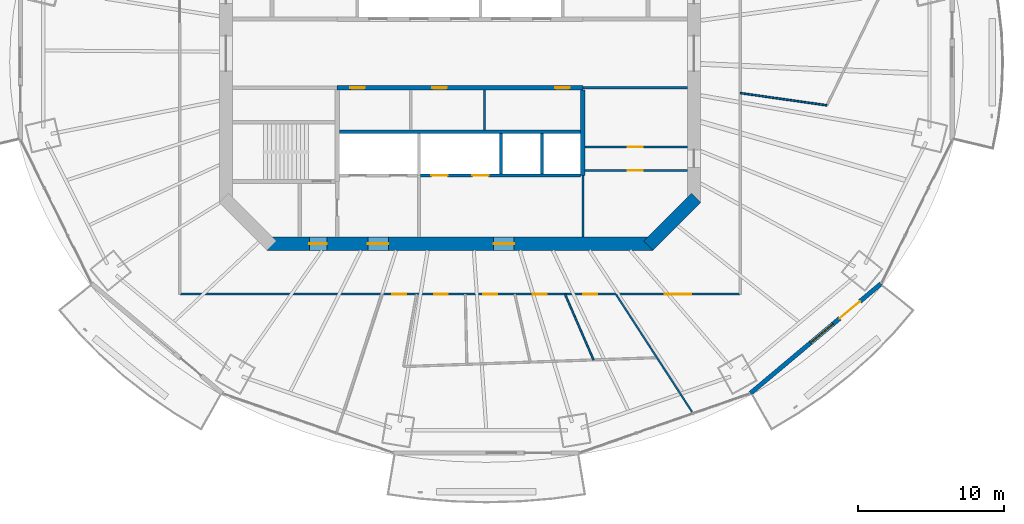
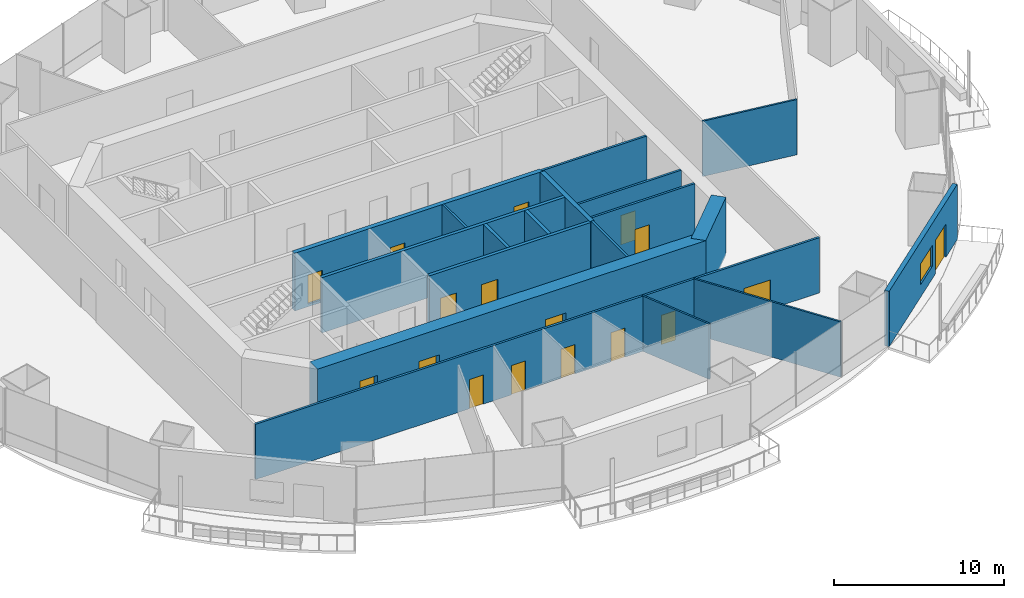
# One storey, part 12 of 20: 18 walls, 17 doors, 1 window, 18 openings.
"""IFC4 building model written with IfcOpenShell, lengths in metres."""

from ifc_helpers import new_model, si_unit, direction, frame, frame_2d, origin, place, context, subcontext, project, spatial, rectangle, extrude, material, layer, layer_set, type_object, element, fill, save


model = new_model("IFC4")

# Units and contexts
model_context = context("Model", 3, precision=1e-05, world=origin(), true_north=direction((0.0, 1.0)))
body_context = subcontext(model_context, "Body", "Model", "MODEL_VIEW")
ifc_project = project(units=[si_unit("LENGTHUNIT", "METRE"), si_unit("AREAUNIT", "SQUARE_METRE"), si_unit("VOLUMEUNIT", "CUBIC_METRE"), si_unit("PLANEANGLEUNIT", "RADIAN"), si_unit("MASSUNIT", "GRAM", prefix="KILO")], contexts=[model_context])

# Site, building, storey
site_placement = place(None, origin())
site = spatial("IfcSite", under=ifc_project, at=site_placement, CompositionType="ELEMENT")
building_placement = place(site_placement, origin())
building = spatial("IfcBuilding", under=site, at=building_placement, Name="Marenthal Gate Tower", CompositionType="ELEMENT")
storey_placement = place(building_placement, frame((0.0, 0.0, 173.5)))
storey = spatial("IfcBuildingStorey", under=building, at=storey_placement, Name="L37", CompositionType="ELEMENT", Elevation=173.5)

# Wall
ifc_material_1 = material(Name="Concrete 60 MPa", Category="concrete")
ifc_layer_1 = layer(ifc_material_1, 0.89990234375)
ifc_layer_set_1 = layer_set([ifc_layer_1], Name="Core shear wall 900")
wall_type_1 = type_object("IfcWallType", Name="Core shear wall 900", PredefinedType="SHEAR", material=ifc_layer_set_1)
wall_1_placement = place(storey_placement, frame((12.8681640625, -13.1318359375, -0.179931640625), z_axis=(0.0, 0.0, 1.0), x_axis=(0.707106781187, 0.707106781187, 0.0)))
element("IfcWall", 1, at=wall_1_placement, inside=storey, type_object=wall_type_1, Name="Core wall 01", PredefinedType="SHEAR", context=body_context, shape_type="SweptSolid", body=[
    extrude(rectangle(XDim=4.615478515625, YDim=0.89990234375, at=frame_2d((2.3076171875, 0.0))), origin(), (0.0, 0.0, 1.0), 4.14990234375),
])

# Wall, openings, doors
wall_2_placement = place(storey_placement, frame((-13.186279296875, -13.0, -0.179931640625), z_axis=(0.0, 0.0, 1.0), x_axis=(1.0, 0.0, 0.0)))
wall_2 = element("IfcWall", 2, at=wall_2_placement, inside=storey, type_object=wall_type_1, Name="Core wall 08", PredefinedType="SHEAR", context=body_context, shape_type="SweptSolid", body=[
    extrude(rectangle(XDim=26.37255859375, YDim=0.89990234375, at=frame_2d((13.186279296875, 0.0))), origin(), (0.0, 0.0, 1.0), 4.14990234375),
])
opening_1_placement = place(wall_2_placement, frame((2.886474609375, 0.0, 0.179931640625)))
opening_1 = element("IfcOpeningElement", 3, at=opening_1_placement, cuts=wall_2, Name="Opening D001.06", PredefinedType="OPENING", context=body_context, shape_type="SweptSolid", body=[
    extrude(rectangle(XDim=1.199951171875, YDim=2.10009765625, at=frame_2d((0.60009765625, 1.050048828125))), frame((0.0, 0.4599609375, 0.0), z_axis=(0.0, -1.0, 0.0), x_axis=(1.0, 0.0, 0.0)), (0.0, 0.0, 1.0), 0.919921875),
])
opening_2_placement = place(wall_2_placement, frame((6.886474609375, 0.0, 0.179931640625)))
opening_2 = element("IfcOpeningElement", 4, at=opening_2_placement, cuts=wall_2, Name="Opening D004.01", PredefinedType="OPENING", context=body_context, shape_type="SweptSolid", body=[
    extrude(rectangle(XDim=1.39990234375, YDim=2.10009765625, at=frame_2d((0.699951171875, 1.050048828125))), frame((0.0, 0.4599609375, 0.0), z_axis=(0.0, -1.0, 0.0), x_axis=(1.0, 0.0, 0.0)), (0.0, 0.0, 1.0), 0.919921875),
])
opening_3_placement = place(wall_2_placement, frame((15.486328125, 0.0, 0.179931640625)))
opening_3 = element("IfcOpeningElement", 5, at=opening_3_placement, cuts=wall_2, Name="Opening D004.02", PredefinedType="OPENING", context=body_context, shape_type="SweptSolid", body=[
    extrude(rectangle(XDim=1.39990234375, YDim=2.10009765625, at=frame_2d((0.699951171875, 1.050048828125))), frame((0.0, 0.4599609375, 0.0), z_axis=(0.0, -1.0, 0.0), x_axis=(1.0, 0.0, 0.0)), (0.0, 0.0, 1.0), 0.919921875),
])
ifc_material_2 = material(Name="Steel fire door", Category="steel")
door_type_1 = type_object("IfcDoorType", Name="Fire door FD 45 1400 x 2100", OperationType="NOTDEFINED", PredefinedType="DOOR", material=ifc_material_2)
door_1_placement = place(opening_2_placement, origin())
door_1 = element("IfcDoor", 6, at=door_1_placement, inside=storey, type_object=door_type_1, Name="Door D004.01", OperationType="SINGLE_SWING_RIGHT", OverallHeight=2.10009765625, OverallWidth=1.39990234375, PredefinedType="DOOR", context=body_context, shape_type="SweptSolid", body=[
    extrude(rectangle(XDim=1.39990234375, YDim=2.10009765625, at=frame_2d((0.699951171875, 1.050048828125))), frame((0.0, 0.02490234375, 0.0), z_axis=(0.0, -1.0, 0.0), x_axis=(1.0, 0.0, 0.0)), (0.0, 0.0, 1.0), 0.050048828125),
])
fill(opening_2, door_1)
door_2_placement = place(opening_3_placement, origin())
door_2 = element("IfcDoor", 7, at=door_2_placement, inside=storey, type_object=door_type_1, Name="Door D004.02", OperationType="SINGLE_SWING_RIGHT", OverallHeight=2.10009765625, OverallWidth=1.39990234375, PredefinedType="DOOR", context=body_context, shape_type="SweptSolid", body=[
    extrude(rectangle(XDim=1.39990234375, YDim=2.10009765625, at=frame_2d((0.699951171875, 1.050048828125))), frame((0.0, 0.02490234375, 0.0), z_axis=(0.0, -1.0, 0.0), x_axis=(1.0, 0.0, 0.0)), (0.0, 0.0, 1.0), 0.050048828125),
])
fill(opening_3, door_2)
ifc_material_3 = material(Name="Steel fire door", Category="steel")
door_type_2 = type_object("IfcDoorType", Name="Fire door FD 90 1200 x 2100", OperationType="NOTDEFINED", PredefinedType="DOOR", material=ifc_material_3)
door_3_placement = place(opening_1_placement, origin())
door_3 = element("IfcDoor", 8, at=door_3_placement, inside=storey, type_object=door_type_2, Name="Door D001.06", OperationType="SINGLE_SWING_RIGHT", OverallHeight=2.10009765625, OverallWidth=1.199951171875, PredefinedType="DOOR", context=body_context, shape_type="SweptSolid", body=[
    extrude(rectangle(XDim=1.199951171875, YDim=2.10009765625, at=frame_2d((0.60009765625, 1.050048828125))), frame((0.0, 0.02490234375, 0.0), z_axis=(0.0, -1.0, 0.0), x_axis=(1.0, 0.0, 0.0)), (0.0, 0.0, 1.0), 0.050048828125),
])
fill(opening_1, door_3)

ifc_material_4 = material(Name="Concrete 50 MPa", Category="concrete")
ifc_layer_2 = layer(ifc_material_4, 0.300048828125)
ifc_layer_set_2 = layer_set([ifc_layer_2], Name="Hoistway shear wall 300")
wall_type_2 = type_object("IfcWallType", Name="Hoistway shear wall 300", PredefinedType="SHEAR", material=ifc_layer_set_2)
wall_3_placement = place(storey_placement, frame((-8.39990234375, -2.35009765625, -0.179931640625), z_axis=(0.0, 0.0, 1.0), x_axis=(1.0, 0.0, 0.0)))
wall_3 = element("IfcWall", 9, at=wall_3_placement, inside=storey, type_object=wall_type_2, Name="Hoistway wall 17", PredefinedType="SHEAR", context=body_context, shape_type="SweptSolid", body=[
    extrude(rectangle(XDim=16.7998046875, YDim=0.300048828125, at=frame_2d((8.39990234375, 0.0))), origin(), (0.0, 0.0, 1.0), 4.14990234375),
])
opening_4_placement = place(wall_3_placement, frame((0.89990234375, 0.0, 0.179931640625)))
opening_4 = element("IfcOpeningElement", 10, at=opening_4_placement, cuts=wall_3, Name="Opening D005.01", PredefinedType="OPENING", context=body_context, shape_type="SweptSolid", body=[
    extrude(rectangle(XDim=1.0, YDim=2.10009765625, at=frame_2d((0.5, 1.050048828125))), frame((0.0, 0.16015625, 0.0), z_axis=(0.0, -1.0, 0.0), x_axis=(1.0, 0.0, 0.0)), (0.0, 0.0, 1.0), 0.320068359375),
])
opening_5_placement = place(wall_3_placement, frame((6.5, 0.0, 0.179931640625)))
opening_5 = element("IfcOpeningElement", 11, at=opening_5_placement, cuts=wall_3, Name="Opening D005.02", PredefinedType="OPENING", context=body_context, shape_type="SweptSolid", body=[
    extrude(rectangle(XDim=1.0, YDim=2.10009765625, at=frame_2d((0.5, 1.050048828125))), frame((0.0, 0.16015625, 0.0), z_axis=(0.0, -1.0, 0.0), x_axis=(1.0, 0.0, 0.0)), (0.0, 0.0, 1.0), 0.320068359375),
])
opening_6_placement = place(wall_3_placement, frame((14.89990234375, 0.0, 0.179931640625)))
opening_6 = element("IfcOpeningElement", 12, at=opening_6_placement, cuts=wall_3, Name="Opening D005.03", PredefinedType="OPENING", context=body_context, shape_type="SweptSolid", body=[
    extrude(rectangle(XDim=1.0, YDim=2.10009765625, at=frame_2d((0.5, 1.050048828125))), frame((0.0, 0.16015625, 0.0), z_axis=(0.0, -1.0, 0.0), x_axis=(1.0, 0.0, 0.0)), (0.0, 0.0, 1.0), 0.320068359375),
])
ifc_material_5 = material(Name="Steel fire door", Category="steel")
door_type_3 = type_object("IfcDoorType", Name="Fire door FD 45 1000 x 2100", OperationType="NOTDEFINED", PredefinedType="DOOR", material=ifc_material_5)
door_4_placement = place(opening_4_placement, frame((1.0, 0.0, 0.0), z_axis=(0.0, 0.0, 1.0), x_axis=(-1.0, 0.0, 0.0)))
door_4 = element("IfcDoor", 13, at=door_4_placement, inside=storey, type_object=door_type_3, Name="Door D005.01", OperationType="SINGLE_SWING_LEFT", OverallHeight=2.10009765625, OverallWidth=1.0, PredefinedType="DOOR", context=body_context, shape_type="SweptSolid", body=[
    extrude(rectangle(XDim=1.0, YDim=2.10009765625, at=frame_2d((0.5, 1.050048828125))), frame((0.0, 0.02490234375, 0.0), z_axis=(0.0, -1.0, 0.0), x_axis=(1.0, 0.0, 0.0)), (0.0, 0.0, 1.0), 0.050048828125),
])
fill(opening_4, door_4)
door_5_placement = place(opening_5_placement, frame((1.0, 0.0, 0.0), z_axis=(0.0, 0.0, 1.0), x_axis=(-1.0, 0.0, 0.0)))
door_5 = element("IfcDoor", 14, at=door_5_placement, inside=storey, type_object=door_type_3, Name="Door D005.02", OperationType="SINGLE_SWING_LEFT", OverallHeight=2.10009765625, OverallWidth=1.0, PredefinedType="DOOR", context=body_context, shape_type="SweptSolid", body=[
    extrude(rectangle(XDim=1.0, YDim=2.10009765625, at=frame_2d((0.5, 1.050048828125))), frame((0.0, 0.02490234375, 0.0), z_axis=(0.0, -1.0, 0.0), x_axis=(1.0, 0.0, 0.0)), (0.0, 0.0, 1.0), 0.050048828125),
])
fill(opening_5, door_5)
door_6_placement = place(opening_6_placement, frame((1.0, 0.0, 0.0), z_axis=(0.0, 0.0, 1.0), x_axis=(-1.0, 0.0, 0.0)))
door_6 = element("IfcDoor", 15, at=door_6_placement, inside=storey, type_object=door_type_3, Name="Door D005.03", OperationType="SINGLE_SWING_LEFT", OverallHeight=2.10009765625, OverallWidth=1.0, PredefinedType="DOOR", context=body_context, shape_type="SweptSolid", body=[
    extrude(rectangle(XDim=1.0, YDim=2.10009765625, at=frame_2d((0.5, 1.050048828125))), frame((0.0, 0.02490234375, 0.0), z_axis=(0.0, -1.0, 0.0), x_axis=(1.0, 0.0, 0.0)), (0.0, 0.0, 1.0), 0.050048828125),
])
fill(opening_6, door_6)

# Wall
wall_4_placement = place(storey_placement, frame((8.39990234375, -8.35009765625, -0.179931640625), z_axis=(0.0, 0.0, 1.0), x_axis=(0.0, 1.0, 0.0)))
element("IfcWall", 16, at=wall_4_placement, inside=storey, type_object=wall_type_2, Name="Hoistway wall 46", PredefinedType="SHEAR", context=body_context, shape_type="SweptSolid", body=[
    extrude(rectangle(XDim=5.85009765625, YDim=0.300048828125, at=frame_2d((2.925048828125, 0.0))), origin(), (0.0, 0.0, 1.0), 4.14990234375),
])

# Wall, openings, doors
ifc_material_6 = material(Name="Concrete 40 MPa", Category="concrete")
ifc_layer_3 = layer(ifc_material_6, 0.219970703125)
ifc_layer_set_3 = layer_set([ifc_layer_3], Name="Hoistway wall 220")
wall_type_3 = type_object("IfcWallType", Name="Hoistway wall 220", PredefinedType="STANDARD", material=ifc_layer_set_3)
wall_5_placement = place(storey_placement, frame((-2.68994140625, -8.35009765625, 0.0), z_axis=(0.0, 0.0, 1.0), x_axis=(1.0, 0.0, 0.0)))
wall_5 = element("IfcWall", 17, at=wall_5_placement, inside=storey, type_object=wall_type_3, Name="Hoistway wall 11", PredefinedType="STANDARD", context=body_context, shape_type="SweptSolid", body=[
    extrude(rectangle(XDim=10.93994140625, YDim=0.219970703125, at=frame_2d((5.469970703125, 0.0))), origin(), (0.0, 0.0, 1.0), 3.969970703125),
])
opening_7_placement = place(wall_5_placement, frame((0.739990234375, 0.0, 0.0)))
opening_7 = element("IfcOpeningElement", 18, at=opening_7_placement, cuts=wall_5, Name="Opening LD-SV1", PredefinedType="OPENING", context=body_context, shape_type="SweptSolid", body=[
    extrude(rectangle(XDim=1.10009765625, YDim=2.10009765625, at=frame_2d((0.550048828125, 1.050048828125))), frame((0.0, 0.1201171875, 0.0), z_axis=(0.0, -1.0, 0.0), x_axis=(1.0, 0.0, 0.0)), (0.0, 0.0, 1.0), 0.239990234375),
])
opening_8_placement = place(wall_5_placement, frame((3.5400390625, 0.0, 0.0)))
opening_8 = element("IfcOpeningElement", 19, at=opening_8_placement, cuts=wall_5, Name="Opening LD-SV2", PredefinedType="OPENING", context=body_context, shape_type="SweptSolid", body=[
    extrude(rectangle(XDim=1.10009765625, YDim=2.10009765625, at=frame_2d((0.550048828125, 1.050048828125))), frame((0.0, 0.1201171875, 0.0), z_axis=(0.0, -1.0, 0.0), x_axis=(1.0, 0.0, 0.0)), (0.0, 0.0, 1.0), 0.239990234375),
])
ifc_material_7 = material(Name="Stainless steel sliding door", Category="steel")
door_type_4 = type_object("IfcDoorType", Name="Lift landing door FD 90 1100 x 2100", OperationType="DOUBLE_DOOR_SLIDING", PredefinedType="DOOR", material=ifc_material_7)
door_7_placement = place(opening_7_placement, origin())
door_7 = element("IfcDoor", 20, at=door_7_placement, inside=storey, type_object=door_type_4, Name="Lift landing door SV1", OperationType="DOUBLE_DOOR_SLIDING", OverallHeight=2.10009765625, OverallWidth=1.10009765625, PredefinedType="DOOR", context=body_context, shape_type="SweptSolid", body=[
    extrude(rectangle(XDim=1.10009765625, YDim=2.10009765625, at=frame_2d((0.550048828125, 1.050048828125))), frame((0.0, 0.02490234375, 0.0), z_axis=(0.0, -1.0, 0.0), x_axis=(1.0, 0.0, 0.0)), (0.0, 0.0, 1.0), 0.050048828125),
])
fill(opening_7, door_7)
door_8_placement = place(opening_8_placement, origin())
door_8 = element("IfcDoor", 21, at=door_8_placement, inside=storey, type_object=door_type_4, Name="Lift landing door SV2", OperationType="DOUBLE_DOOR_SLIDING", OverallHeight=2.10009765625, OverallWidth=1.10009765625, PredefinedType="DOOR", context=body_context, shape_type="SweptSolid", body=[
    extrude(rectangle(XDim=1.10009765625, YDim=2.10009765625, at=frame_2d((0.550048828125, 1.050048828125))), frame((0.0, 0.02490234375, 0.0), z_axis=(0.0, -1.0, 0.0), x_axis=(1.0, 0.0, 0.0)), (0.0, 0.0, 1.0), 0.050048828125),
])
fill(opening_8, door_8)

# Walls
wall_6_placement = place(storey_placement, frame((-8.25, -5.35009765625, 0.0), z_axis=(0.0, 0.0, 1.0), x_axis=(1.0, 0.0, 0.0)))
element("IfcWall", 22, at=wall_6_placement, inside=storey, type_object=wall_type_3, Name="Hoistway wall 14", PredefinedType="STANDARD", context=body_context, shape_type="SweptSolid", body=[
    extrude(rectangle(XDim=16.5, YDim=0.219970703125, at=frame_2d((8.25, 0.0))), origin(), (0.0, 0.0, 1.0), 3.969970703125),
])
for number, where, z_axis, x_axis, name in (
    (23, (2.800048828125, -8.239990234375, 0.0), (0.0, 0.0, 1.0), (0.0, 1.0, 0.0), "Hoistway wall 40"),
    (24, (5.60009765625, -8.239990234375, 0.0), (0.0, 0.0, 1.0), (0.0, 1.0, 0.0), "Hoistway wall 43"),
):
    element("IfcWall", number, at=place(storey_placement, frame(where, z_axis=z_axis, x_axis=x_axis)), inside=storey, type_object=wall_type_3, Name=name, PredefinedType="STANDARD", context=body_context, shape_type="SweptSolid", body=[
        extrude(rectangle(XDim=2.780029296875, YDim=0.219970703125, at=frame_2d((1.39013671875, 0.0))), origin(), (0.0, 0.0, 1.0), 3.969970703125),
    ])
ifc_material_8 = material(Name="Gypsum board on steel studs", Category="steel")
ifc_layer_4 = layer(ifc_material_8, 0.1201171875)
ifc_layer_set_4 = layer_set([ifc_layer_4], Name="Partition 120")
wall_type_4 = type_object("IfcWallType", Name="Partition 120", PredefinedType="PARTITIONING", material=ifc_layer_set_4)
wall_7_placement = place(storey_placement, frame((9.12939453125, -20.9423828125, 0.0), z_axis=(0.0, 0.0, 1.0), x_axis=(-0.399629429377, 0.916676780101, 0.0)))
element("IfcWall", 25, at=wall_7_placement, inside=storey, type_object=wall_type_4, Name="Partition wall 61", PredefinedType="PARTITIONING", context=body_context, shape_type="SweptSolid", body=[
    extrude(rectangle(XDim=4.90087890625, YDim=0.1201171875, at=frame_2d((2.450439453125, 0.0))), origin(), (0.0, 0.0, 1.0), 3.969970703125),
])
wall_8_placement = place(storey_placement, frame((10.649169921875, -16.449951171875, 0.0), z_axis=(0.0, 0.0, 1.0), x_axis=(0.5434327779, -0.839452688306, 0.0)))
element("IfcWall", 26, at=wall_8_placement, inside=storey, type_object=wall_type_4, Name="Partition wall 62", PredefinedType="PARTITIONING", context=body_context, shape_type="SweptSolid", body=[
    extrude(rectangle(XDim=9.703857421875, YDim=0.1201171875, at=frame_2d((4.85205078125, 0.0))), origin(), (0.0, 0.0, 1.0), 3.969970703125),
])
wall_9_placement = place(storey_placement, frame((25.072998046875, -3.546630859375, 0.0), z_axis=(0.0, 0.0, 1.0), x_axis=(-0.990142016785, 0.140067078917, 0.0)))
element("IfcWall", 27, at=wall_9_placement, inside=storey, type_object=wall_type_4, Name="Partition wall 68", PredefinedType="PARTITIONING", context=body_context, shape_type="SweptSolid", body=[
    extrude(rectangle(XDim=5.982177734375, YDim=0.1201171875, at=frame_2d((2.9912109375, 0.0))), origin(), (0.0, 0.0, 1.0), 3.969970703125),
])

# Wall, opening, door
ifc_material_9 = material(Name="Gypsum board on steel studs", Category="steel")
ifc_layer_5 = layer(ifc_material_9, 0.14990234375)
ifc_layer_set_5 = layer_set([ifc_layer_5], Name="Partition 150")
wall_type_5 = type_object("IfcWallType", Name="Partition 150", PredefinedType="PARTITIONING", material=ifc_layer_set_5)
wall_10_placement = place(storey_placement, frame((8.550048828125, -8.0, 0.0), z_axis=(0.0, 0.0, 1.0), x_axis=(1.0, 0.0, 0.0)))
wall_10 = element("IfcWall", 28, at=wall_10_placement, inside=storey, type_object=wall_type_5, Name="Partition wall 12", PredefinedType="PARTITIONING", context=body_context, shape_type="SweptSolid", body=[
    extrude(rectangle(XDim=7.0, YDim=0.14990234375, at=frame_2d((3.5, 0.0))), origin(), (0.0, 0.0, 1.0), 3.969970703125),
])
opening_9_placement = place(wall_10_placement, frame((2.925048828125, 0.0, 0.0)))
opening_9 = element("IfcOpeningElement", 29, at=opening_9_placement, cuts=wall_10, Name="Opening D005.07", PredefinedType="OPENING", context=body_context, shape_type="SweptSolid", body=[
    extrude(rectangle(XDim=1.0, YDim=2.10009765625, at=frame_2d((0.5, 1.050048828125))), frame((0.0, 0.0849609375, 0.0), z_axis=(0.0, -1.0, 0.0), x_axis=(1.0, 0.0, 0.0)), (0.0, 0.0, 1.0), 0.169921875),
])
door_9_placement = place(opening_9_placement, frame((1.0, 0.0, 0.0), z_axis=(0.0, 0.0, 1.0), x_axis=(-1.0, 0.0, 0.0)))
door_9 = element("IfcDoor", 30, at=door_9_placement, inside=storey, type_object=door_type_3, Name="Door D005.07", OperationType="SINGLE_SWING_LEFT", OverallHeight=2.10009765625, OverallWidth=1.0, PredefinedType="DOOR", context=body_context, shape_type="SweptSolid", body=[
    extrude(rectangle(XDim=1.0, YDim=2.10009765625, at=frame_2d((0.5, 1.050048828125))), frame((0.0, 0.02490234375, 0.0), z_axis=(0.0, -1.0, 0.0), x_axis=(1.0, 0.0, 0.0)), (0.0, 0.0, 1.0), 0.050048828125),
])
fill(opening_9, door_9)

wall_11_placement = place(storey_placement, frame((8.550048828125, -6.39990234375, 0.0), z_axis=(0.0, 0.0, 1.0), x_axis=(1.0, 0.0, 0.0)))
wall_11 = element("IfcWall", 31, at=wall_11_placement, inside=storey, type_object=wall_type_5, Name="Partition wall 13", PredefinedType="PARTITIONING", context=body_context, shape_type="SweptSolid", body=[
    extrude(rectangle(XDim=7.0, YDim=0.14990234375, at=frame_2d((3.5, 0.0))), origin(), (0.0, 0.0, 1.0), 3.969970703125),
])
opening_10_placement = place(wall_11_placement, frame((2.925048828125, 0.0, 0.0)))
opening_10 = element("IfcOpeningElement", 32, at=opening_10_placement, cuts=wall_11, Name="Opening D005.06", PredefinedType="OPENING", context=body_context, shape_type="SweptSolid", body=[
    extrude(rectangle(XDim=1.0, YDim=2.10009765625, at=frame_2d((0.5, 1.050048828125))), frame((0.0, 0.0849609375, 0.0), z_axis=(0.0, -1.0, 0.0), x_axis=(1.0, 0.0, 0.0)), (0.0, 0.0, 1.0), 0.169921875),
])
door_10_placement = place(opening_10_placement, origin())
door_10 = element("IfcDoor", 33, at=door_10_placement, inside=storey, type_object=door_type_3, Name="Door D005.06", OperationType="SINGLE_SWING_RIGHT", OverallHeight=2.10009765625, OverallWidth=1.0, PredefinedType="DOOR", context=body_context, shape_type="SweptSolid", body=[
    extrude(rectangle(XDim=1.0, YDim=2.10009765625, at=frame_2d((0.5, 1.050048828125))), frame((0.0, 0.02490234375, 0.0), z_axis=(0.0, -1.0, 0.0), x_axis=(1.0, 0.0, 0.0)), (0.0, 0.0, 1.0), 0.050048828125),
])
fill(opening_10, door_10)

# Walls
wall_12_placement = place(storey_placement, frame((8.39990234375, -2.35009765625, 0.0), z_axis=(0.0, 0.0, 1.0), x_axis=(1.0, 0.0, 0.0)))
element("IfcWall", 34, at=wall_12_placement, inside=storey, type_object=wall_type_5, Name="Partition wall 18", PredefinedType="PARTITIONING", context=body_context, shape_type="SweptSolid", body=[
    extrude(rectangle(XDim=7.150146484375, YDim=0.14990234375, at=frame_2d((3.5751953125, 0.0))), origin(), (0.0, 0.0, 1.0), 3.969970703125),
])
wall_13_placement = place(storey_placement, frame((1.679931640625, -5.239990234375, 0.0), z_axis=(0.0, 0.0, 1.0), x_axis=(0.0, 1.0, 0.0)))
element("IfcWall", 35, at=wall_13_placement, inside=storey, type_object=wall_type_5, Name="Partition wall 39", PredefinedType="PARTITIONING", context=body_context, shape_type="SweptSolid", body=[
    extrude(rectangle(XDim=2.739990234375, YDim=0.14990234375, at=frame_2d((1.3701171875, 0.0))), origin(), (0.0, 0.0, 1.0), 3.969970703125),
])
wall_14_placement = place(storey_placement, frame((8.39990234375, -12.550048828125, 0.0), z_axis=(0.0, 0.0, 1.0), x_axis=(0.0, 1.0, 0.0)))
element("IfcWall", 36, at=wall_14_placement, inside=storey, type_object=wall_type_5, Name="Partition wall 45", PredefinedType="PARTITIONING", context=body_context, shape_type="SweptSolid", body=[
    extrude(rectangle(XDim=4.199951171875, YDim=0.14990234375, at=frame_2d((2.10009765625, 0.0))), origin(), (0.0, 0.0, 1.0), 3.969970703125),
])

# Wall, openings, doors
wall_15_placement = place(storey_placement, frame((19.14990234375, -16.449951171875, 0.0), z_axis=(0.0, 0.0, 1.0), x_axis=(-1.0, 0.0, 0.0)))
wall_15 = element("IfcWall", 37, at=wall_15_placement, inside=storey, type_object=wall_type_5, Name="Partition wall 65", PredefinedType="PARTITIONING", context=body_context, shape_type="SweptSolid", body=[
    extrude(rectangle(XDim=38.2998046875, YDim=0.14990234375, at=frame_2d((19.14990234375, 0.0))), origin(), (0.0, 0.0, 1.0), 3.969970703125),
])
opening_11_placement = place(wall_15_placement, frame((19.97607421875, 0.0, 0.0)))
opening_11 = element("IfcOpeningElement", 38, at=opening_11_placement, cuts=wall_15, Name="Opening D016.01", PredefinedType="OPENING", context=body_context, shape_type="SweptSolid", body=[
    extrude(rectangle(XDim=0.949951171875, YDim=2.10009765625, at=frame_2d((0.47509765625, 1.050048828125))), frame((0.0, 0.0849609375, 0.0), z_axis=(0.0, -1.0, 0.0), x_axis=(1.0, 0.0, 0.0)), (0.0, 0.0, 1.0), 0.169921875),
])
opening_12_placement = place(wall_15_placement, frame((16.62109375, 0.0, 0.0)))
opening_12 = element("IfcOpeningElement", 39, at=opening_12_placement, cuts=wall_15, Name="Opening D016.02", PredefinedType="OPENING", context=body_context, shape_type="SweptSolid", body=[
    extrude(rectangle(XDim=0.949951171875, YDim=2.10009765625, at=frame_2d((0.47509765625, 1.050048828125))), frame((0.0, 0.0849609375, 0.0), z_axis=(0.0, -1.0, 0.0), x_axis=(1.0, 0.0, 0.0)), (0.0, 0.0, 1.0), 0.169921875),
])
opening_13_placement = place(wall_15_placement, frame((13.218017578125, 0.0, 0.0)))
opening_13 = element("IfcOpeningElement", 40, at=opening_13_placement, cuts=wall_15, Name="Opening D016.03", PredefinedType="OPENING", context=body_context, shape_type="SweptSolid", body=[
    extrude(rectangle(XDim=0.949951171875, YDim=2.10009765625, at=frame_2d((0.47509765625, 1.050048828125))), frame((0.0, 0.0849609375, 0.0), z_axis=(0.0, -1.0, 0.0), x_axis=(1.0, 0.0, 0.0)), (0.0, 0.0, 1.0), 0.169921875),
])
opening_14_placement = place(wall_15_placement, frame((9.764892578125, 0.0, 0.0)))
opening_14 = element("IfcOpeningElement", 41, at=opening_14_placement, cuts=wall_15, Name="Opening D016.04", PredefinedType="OPENING", context=body_context, shape_type="SweptSolid", body=[
    extrude(rectangle(XDim=0.949951171875, YDim=2.10009765625, at=frame_2d((0.47509765625, 1.050048828125))), frame((0.0, 0.0849609375, 0.0), z_axis=(0.0, -1.0, 0.0), x_axis=(1.0, 0.0, 0.0)), (0.0, 0.0, 1.0), 0.169921875),
])
opening_15_placement = place(wall_15_placement, frame((22.833984375, 0.0, 0.0)))
opening_15 = element("IfcOpeningElement", 42, at=opening_15_placement, cuts=wall_15, Name="Opening D016.05", PredefinedType="OPENING", context=body_context, shape_type="SweptSolid", body=[
    extrude(rectangle(XDim=0.949951171875, YDim=2.10009765625, at=frame_2d((0.47509765625, 1.050048828125))), frame((0.0, 0.0849609375, 0.0), z_axis=(0.0, -1.0, 0.0), x_axis=(1.0, 0.0, 0.0)), (0.0, 0.0, 1.0), 0.169921875),
])
opening_16_placement = place(wall_15_placement, frame((3.35009765625, 0.0, 0.0)))
opening_16 = element("IfcOpeningElement", 43, at=opening_16_placement, cuts=wall_15, Name="Opening D014.03", PredefinedType="OPENING", context=body_context, shape_type="SweptSolid", body=[
    extrude(rectangle(XDim=1.800048828125, YDim=2.10009765625, at=frame_2d((0.89990234375, 1.050048828125))), frame((0.0, 0.0849609375, 0.0), z_axis=(0.0, -1.0, 0.0), x_axis=(1.0, 0.0, 0.0)), (0.0, 0.0, 1.0), 0.169921875),
])
ifc_material_10 = material(Name="Timber door", Category="wood")
door_type_5 = type_object("IfcDoorType", Name="Door 950 x 2100", OperationType="NOTDEFINED", PredefinedType="DOOR", material=ifc_material_10)
door_11_placement = place(opening_11_placement, origin())
door_11 = element("IfcDoor", 44, at=door_11_placement, inside=storey, type_object=door_type_5, Name="Door D016.01", OperationType="SINGLE_SWING_RIGHT", OverallHeight=2.10009765625, OverallWidth=0.949951171875, PredefinedType="DOOR", context=body_context, shape_type="SweptSolid", body=[
    extrude(rectangle(XDim=0.949951171875, YDim=2.10009765625, at=frame_2d((0.47509765625, 1.050048828125))), frame((0.0, 0.02490234375, 0.0), z_axis=(0.0, -1.0, 0.0), x_axis=(1.0, 0.0, 0.0)), (0.0, 0.0, 1.0), 0.050048828125),
])
fill(opening_11, door_11)
door_12_placement = place(opening_12_placement, origin())
door_12 = element("IfcDoor", 45, at=door_12_placement, inside=storey, type_object=door_type_5, Name="Door D016.02", OperationType="SINGLE_SWING_RIGHT", OverallHeight=2.10009765625, OverallWidth=0.949951171875, PredefinedType="DOOR", context=body_context, shape_type="SweptSolid", body=[
    extrude(rectangle(XDim=0.949951171875, YDim=2.10009765625, at=frame_2d((0.47509765625, 1.050048828125))), frame((0.0, 0.02490234375, 0.0), z_axis=(0.0, -1.0, 0.0), x_axis=(1.0, 0.0, 0.0)), (0.0, 0.0, 1.0), 0.050048828125),
])
fill(opening_12, door_12)
door_13_placement = place(opening_13_placement, origin())
door_13 = element("IfcDoor", 46, at=door_13_placement, inside=storey, type_object=door_type_5, Name="Door D016.03", OperationType="SINGLE_SWING_RIGHT", OverallHeight=2.10009765625, OverallWidth=0.949951171875, PredefinedType="DOOR", context=body_context, shape_type="SweptSolid", body=[
    extrude(rectangle(XDim=0.949951171875, YDim=2.10009765625, at=frame_2d((0.47509765625, 1.050048828125))), frame((0.0, 0.02490234375, 0.0), z_axis=(0.0, -1.0, 0.0), x_axis=(1.0, 0.0, 0.0)), (0.0, 0.0, 1.0), 0.050048828125),
])
fill(opening_13, door_13)
door_14_placement = place(opening_14_placement, origin())
door_14 = element("IfcDoor", 47, at=door_14_placement, inside=storey, type_object=door_type_5, Name="Door D016.04", OperationType="SINGLE_SWING_RIGHT", OverallHeight=2.10009765625, OverallWidth=0.949951171875, PredefinedType="DOOR", context=body_context, shape_type="SweptSolid", body=[
    extrude(rectangle(XDim=0.949951171875, YDim=2.10009765625, at=frame_2d((0.47509765625, 1.050048828125))), frame((0.0, 0.02490234375, 0.0), z_axis=(0.0, -1.0, 0.0), x_axis=(1.0, 0.0, 0.0)), (0.0, 0.0, 1.0), 0.050048828125),
])
fill(opening_14, door_14)
door_15_placement = place(opening_15_placement, origin())
door_15 = element("IfcDoor", 48, at=door_15_placement, inside=storey, type_object=door_type_5, Name="Door D016.05", OperationType="SINGLE_SWING_RIGHT", OverallHeight=2.10009765625, OverallWidth=0.949951171875, PredefinedType="DOOR", context=body_context, shape_type="SweptSolid", body=[
    extrude(rectangle(XDim=0.949951171875, YDim=2.10009765625, at=frame_2d((0.47509765625, 1.050048828125))), frame((0.0, 0.02490234375, 0.0), z_axis=(0.0, -1.0, 0.0), x_axis=(1.0, 0.0, 0.0)), (0.0, 0.0, 1.0), 0.050048828125),
])
fill(opening_15, door_15)
ifc_material_11 = material(Name="Timber door", Category="wood")
door_type_6 = type_object("IfcDoorType", Name="Double door 1800 x 2100", OperationType="DOUBLE_DOOR_SINGLE_SWING", PredefinedType="DOOR", material=ifc_material_11)
door_16_placement = place(opening_16_placement, origin())
door_16 = element("IfcDoor", 49, at=door_16_placement, inside=storey, type_object=door_type_6, Name="Door D014.03", OperationType="DOUBLE_DOOR_SINGLE_SWING", OverallHeight=2.10009765625, OverallWidth=1.800048828125, PredefinedType="DOOR", context=body_context, shape_type="SweptSolid", body=[
    extrude(rectangle(XDim=1.800048828125, YDim=2.10009765625, at=frame_2d((0.89990234375, 1.050048828125))), frame((0.0, 0.02490234375, 0.0), z_axis=(0.0, -1.0, 0.0), x_axis=(1.0, 0.0, 0.0)), (0.0, 0.0, 1.0), 0.050048828125),
])
fill(opening_16, door_16)

# Wall, openings, door, window
ifc_material_12 = material(Name="Terracotta cladding on insulated concrete-block backing", Category="masonry")
ifc_layer_6 = layer(ifc_material_12, 0.300048828125)
ifc_layer_set_6 = layer_set([ifc_layer_6], Name="Terracotta facade wall 300")
wall_type_6 = type_object("IfcWallType", Name="Terracotta facade wall 300", PredefinedType="SOLIDWALL", material=ifc_layer_set_6)
wall_16_placement = place(storey_placement, frame((19.83203125, -23.237548828125, 0.0), z_axis=(0.0, 0.0, 1.0), x_axis=(0.766159362154, 0.642650629645, 0.0)))
wall_16 = element("IfcWall", 50, at=wall_16_placement, inside=storey, type_object=wall_type_6, Name="Terracotta facade wall L37 bay 14", PredefinedType="SOLIDWALL", context=body_context, shape_type="SweptSolid", body=[
    extrude(rectangle(XDim=11.688232421875, YDim=0.300048828125, at=frame_2d((5.84423828125, 0.0))), origin(), (0.0, 0.0, 1.0), 3.969970703125),
])
opening_17_placement = place(wall_16_placement, frame((7.98828125, 0.0, 0.0)))
opening_17 = element("IfcOpeningElement", 51, at=opening_17_placement, cuts=wall_16, Name="Opening BD-L37-14", PredefinedType="OPENING", context=body_context, shape_type="SweptSolid", body=[
    extrude(rectangle(XDim=1.800048828125, YDim=2.39990234375, at=frame_2d((0.89990234375, 1.199951171875))), frame((0.0, 0.16015625, 0.0), z_axis=(0.0, -1.0, 0.0), x_axis=(1.0, 0.0, 0.0)), (0.0, 0.0, 1.0), 0.320068359375),
])
opening_18_placement = place(wall_16_placement, frame((5.38818359375, 0.0, 0.89990234375)))
opening_18 = element("IfcOpeningElement", 52, at=opening_18_placement, cuts=wall_16, Name="Opening WN2-L37-14", PredefinedType="OPENING", context=body_context, shape_type="SweptSolid", body=[
    extrude(rectangle(XDim=2.0, YDim=1.5, at=frame_2d((1.0, 0.75))), frame((0.0, 0.16015625, 0.0), z_axis=(0.0, -1.0, 0.0), x_axis=(1.0, 0.0, 0.0)), (0.0, 0.0, 1.0), 0.320068359375),
])
ifc_material_13 = material(Name="Aluminium and glass", Category="aluminium")
door_type_7 = type_object("IfcDoorType", Name="Balcony door 1800x2400", OperationType="DOUBLE_DOOR_SINGLE_SWING", PredefinedType="DOOR", material=ifc_material_13)
door_17_placement = place(opening_17_placement, origin())
door_17 = element("IfcDoor", 53, at=door_17_placement, inside=storey, type_object=door_type_7, Name="Balcony door L37 bay 14", OperationType="SINGLE_SWING_LEFT", OverallHeight=2.39990234375, OverallWidth=1.800048828125, PredefinedType="DOOR", context=body_context, shape_type="SweptSolid", body=[
    extrude(rectangle(XDim=1.800048828125, YDim=2.39990234375, at=frame_2d((0.89990234375, 1.199951171875))), frame((0.0, 0.02490234375, 0.0), z_axis=(0.0, -1.0, 0.0), x_axis=(1.0, 0.0, 0.0)), (0.0, 0.0, 1.0), 0.050048828125),
])
fill(opening_17, door_17)
ifc_material_14 = material(Name="Aluminium and glass", Category="aluminium")
window_type = type_object("IfcWindowType", Name="Window 2000x1500", PartitioningType="DOUBLE_PANEL_VERTICAL", PredefinedType="WINDOW", material=ifc_material_14)
window_placement = place(opening_18_placement, origin())
window = element("IfcWindow", 54, at=window_placement, inside=storey, type_object=window_type, Name="Window L37 bay 14", OverallHeight=1.5, OverallWidth=2.0, PartitioningType="SINGLE_PANEL", PredefinedType="WINDOW", context=body_context, shape_type="SweptSolid", body=[
    extrude(rectangle(XDim=2.0, YDim=1.5, at=frame_2d((1.0, 0.75))), frame((0.0, 0.030029296875, 0.0), z_axis=(0.0, -1.0, 0.0), x_axis=(1.0, 0.0, 0.0)), (0.0, 0.0, 1.0), 0.06005859375),
])
fill(opening_18, window)

save(model, "model.ifc")
